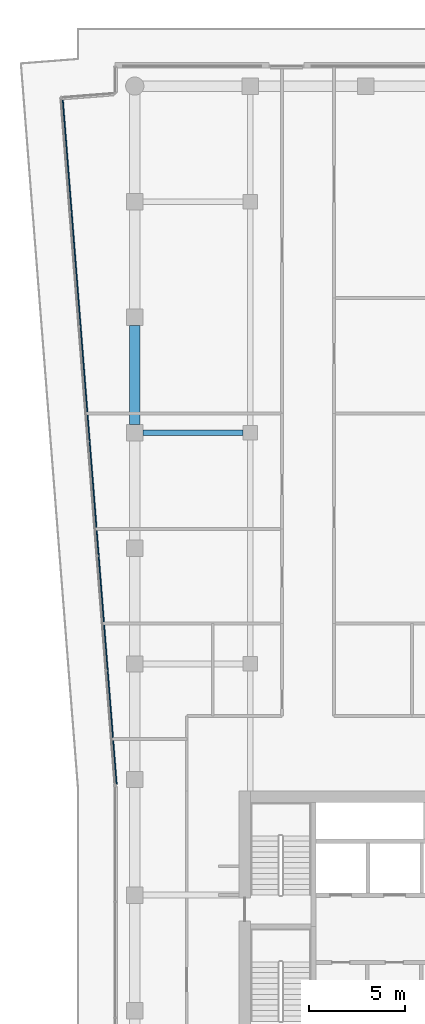
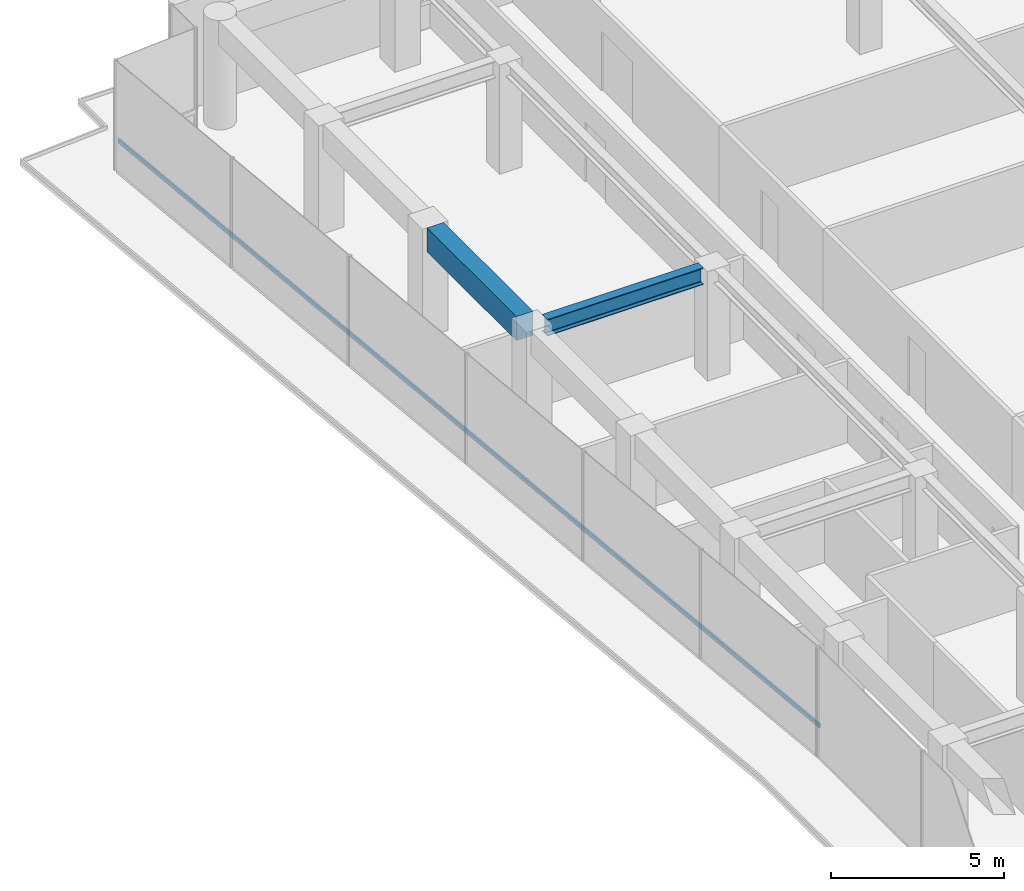
# One storey, part 12 of 23: 2 beams, 1 member, 1 element without a shape of its own.
"""IFC4 building model written with IfcOpenShell, lengths in metres."""

from ifc_helpers import new_model, si_unit, direction, frame, origin, origin_2d, place, context, subcontext, project, spatial, rectangle, i_section, extrude, material, layer, layer_set, material_profile, profile_set, type_object, element, aggregate, save


model = new_model("IFC4")

# Units and contexts
model_context = context("Model", 3, precision=1e-05, world=origin(), true_north=direction((0.0, 1.0)))
body_context = subcontext(model_context, "Body", "Model", "MODEL_VIEW")
ifc_project = project(units=[si_unit("LENGTHUNIT", "METRE"), si_unit("AREAUNIT", "SQUARE_METRE"), si_unit("VOLUMEUNIT", "CUBIC_METRE"), si_unit("PLANEANGLEUNIT", "RADIAN"), si_unit("MASSUNIT", "GRAM", prefix="KILO")], contexts=[model_context])

# Site, building, storey
site_placement = place(None, origin())
site = spatial("IfcSite", under=ifc_project, at=site_placement, CompositionType="ELEMENT")
building_placement = place(site_placement, origin())
building = spatial("IfcBuilding", under=site, at=building_placement, Name="Welwitschia Terrace Campus", CompositionType="ELEMENT")
storey_placement = place(building_placement, frame((0.0, 0.0, 188.60009765625)))
storey = spatial("IfcBuildingStorey", under=building, at=storey_placement, Name="L42", CompositionType="ELEMENT", Elevation=188.60009765625)

# Beams
ifc_material_1 = material(Name="Steel S355", Category="steel")
ifc_material_profile_1 = material_profile(ifc_material_1, i_section(OverallWidth=0.300048828125, OverallDepth=0.590087890625, WebThickness=0.012939453125, FlangeThickness=0.02490234375, FilletRadius=0.027099609375, at=origin_2d()))
ifc_profile_set_1 = profile_set([ifc_material_profile_1], Name="Steel S355")
beam_type_1 = type_object("IfcBeamType", Name="Primary beam HE 600 A", PredefinedType="BEAM", material=ifc_profile_set_1)
beam_1_placement = place(storey_placement, frame((0.425537109375, 44.0, 3.554931640625), z_axis=(1.0, 0.0, 0.0), x_axis=(0.0, 1.0, 0.0)))
element("IfcBeam", 1, at=beam_1_placement, inside=storey, type_object=beam_type_1, Name="Primary beam PB4", PredefinedType="BEAM", context=body_context, shape_type="SweptSolid", body=[
    extrude(i_section(OverallWidth=0.300048828125, OverallDepth=0.590087890625, WebThickness=0.012939453125, FlangeThickness=0.02490234375, FilletRadius=0.027099609375, at=origin_2d()), origin(), (0.0, 0.0, 1.0), 5.198974609375),
])
ifc_material_2 = material(Name="Concrete C50/60", Category="concrete")
ifc_material_profile_2 = material_profile(ifc_material_2, rectangle(XDim=0.550048828125, YDim=0.85009765625, at=origin_2d()))
ifc_profile_set_2 = profile_set([ifc_material_profile_2], Name="Concrete C50/60")
beam_type_2 = type_object("IfcBeamType", Name="Ring spandrel 550x850", PredefinedType="SPANDREL", material=ifc_profile_set_2)
beam_2_placement = place(storey_placement, frame((0.0, 49.574462890625, 3.4248046875), z_axis=(0.0, -1.0, 0.0), x_axis=(1.0, 0.0, 0.0)))
element("IfcBeam", 2, at=beam_2_placement, inside=storey, type_object=beam_type_2, Name="Spandrel SP3", PredefinedType="SPANDREL", context=body_context, shape_type="SweptSolid", body=[
    extrude(rectangle(XDim=0.550048828125, YDim=0.85009765625, at=origin_2d()), origin(), (0.0, 0.0, 1.0), 5.14892578125),
])

# Curtain wall, member
ifc_material_3 = material(Name="Bronze anodised aluminium", Category="aluminium")
ifc_layer = layer(ifc_material_3, 0.1201171875)
ifc_layer_set = layer_set([ifc_layer], Name="Bronze anodised aluminium")
curtain_wall_type = type_object("IfcCurtainWallType", Name="Curtain wall CW2 tower 6000", PredefinedType="NOTDEFINED", material=ifc_layer_set)
curtain_wall_placement = place(storey_placement, origin())
curtain_wall = element("IfcCurtainWall", 3, at=curtain_wall_placement, inside=storey, type_object=curtain_wall_type, Name="CW L42.0.0", PredefinedType="NOTDEFINED")
ifc_material_4 = material(Name="Bronze anodised aluminium", Category="aluminium")
ifc_material_profile_3 = material_profile(ifc_material_4, rectangle(XDim=0.06005859375, YDim=0.14990234375, at=origin_2d()))
ifc_profile_set_3 = profile_set([ifc_material_profile_3], Name="Bronze anodised aluminium")
member_type = type_object("IfcMemberType", Name="Transom 60x150", PredefinedType="USERDEFINED", material=ifc_profile_set_3)
member_placement = place(storey_placement, frame((-3.746337890625, 61.3544921875, 1.0), z_axis=(0.078456952724, -0.996917502389, 0.0), x_axis=(0.996917502389, 0.078456952724, 0.0)))
member = element("IfcMember", 4, at=member_placement, type_object=member_type, Name="Transom L42.0.0", ObjectType="TRANSOM", PredefinedType="USERDEFINED", context=body_context, shape_type="SweptSolid", body=[
    extrude(rectangle(XDim=0.06005859375, YDim=0.14990234375, at=origin_2d()), origin(), (0.0, 0.0, 1.0), 35.70458984375),
])
aggregate(curtain_wall, [member])

save(model, "model.ifc")
